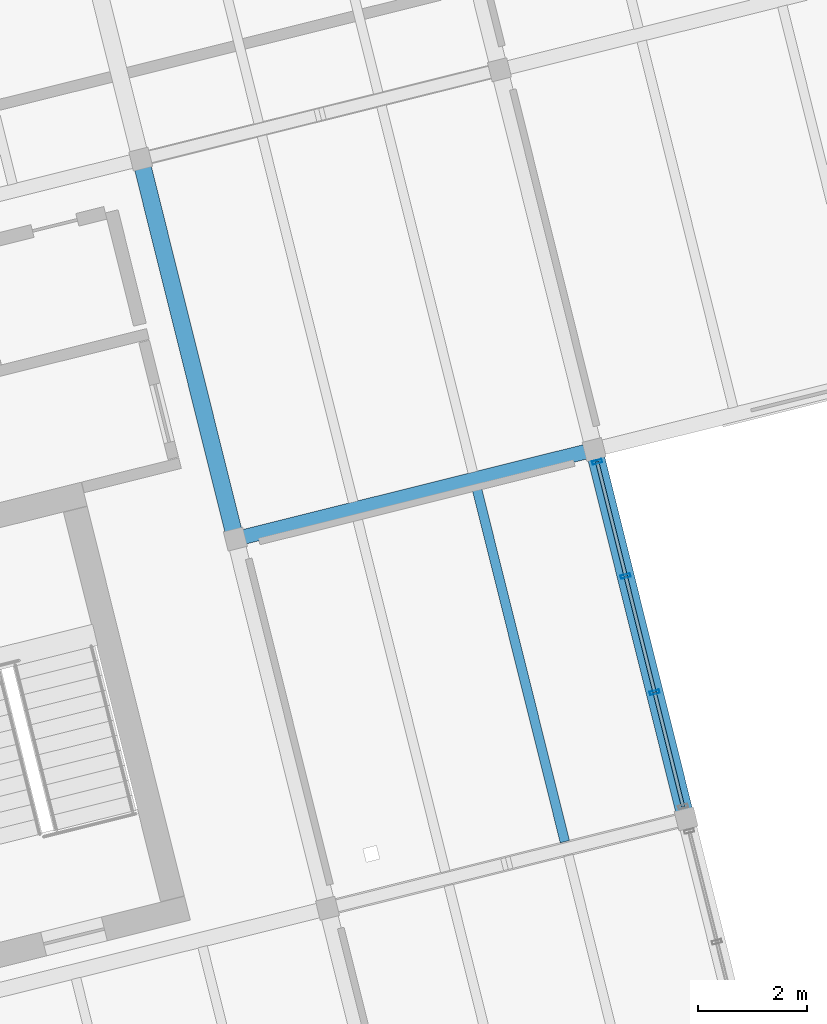
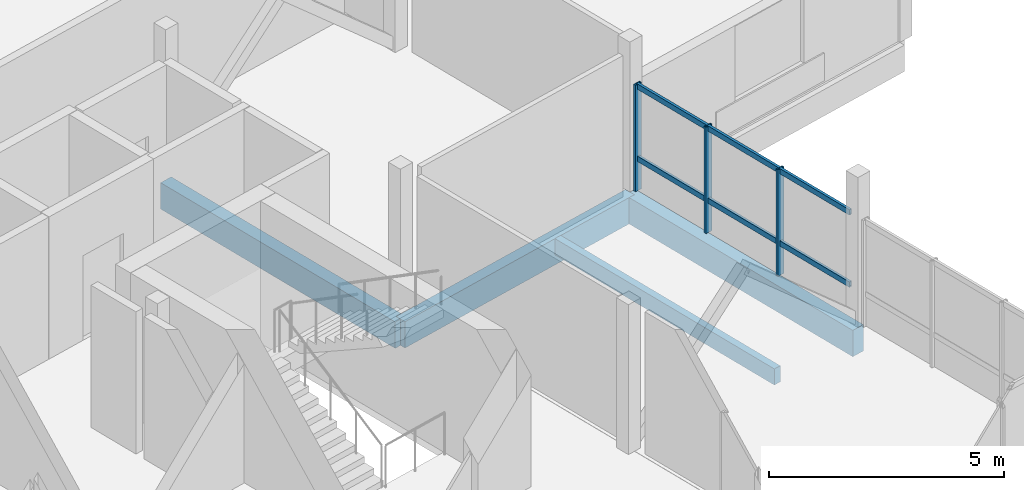
# One storey, part 12 of 26: 9 members, 4 beams, 1 element without a shape of its own.
"""IFC4 building model written with IfcOpenShell, lengths in metres."""

from ifc_helpers import new_model, si_unit, direction, frame, origin, origin_2d, place, context, subcontext, project, spatial, rectangle, hollow_rectangle, extrude, material, layer, layer_set, material_profile, profile_set, type_object, element, aggregate, save


model = new_model("IFC4")

# Units and contexts
model_context = context("Model", 3, precision=1e-05, world=origin(), true_north=direction((0.0, 1.0)))
body_context = subcontext(model_context, "Body", "Model", "MODEL_VIEW")
ifc_project = project(units=[si_unit("LENGTHUNIT", "METRE"), si_unit("AREAUNIT", "SQUARE_METRE"), si_unit("VOLUMEUNIT", "CUBIC_METRE"), si_unit("PLANEANGLEUNIT", "RADIAN"), si_unit("MASSUNIT", "GRAM", prefix="KILO")], contexts=[model_context])

# Site, building, storey
site_placement = place(None, origin())
site = spatial("IfcSite", under=ifc_project, at=site_placement, CompositionType="ELEMENT")
building_placement = place(site_placement, origin())
building = spatial("IfcBuilding", under=site, at=building_placement, Name="Meriwether Solvik Hall", CompositionType="ELEMENT")
storey_placement = place(building_placement, frame((0.0, 0.0, 41.699951171875)))
storey = spatial("IfcBuildingStorey", under=building, at=storey_placement, Name="L10", CompositionType="ELEMENT", Elevation=41.699951171875)

# Beams
ifc_material_1 = material(Name="Glulam Douglas-Fir 24F-V8 GL28h", Category="wood")
ifc_material_profile_1 = material_profile(ifc_material_1, rectangle(XDim=0.27294921875, YDim=0.68505859375, at=origin_2d()), Name="GLB-273X685")
ifc_profile_set_1 = profile_set([ifc_material_profile_1], Name="Glulam Douglas-Fir 24F-V8 GL28h")
beam_type_1 = type_object("IfcBeamType", Name="BM-GL-273X685", PredefinedType="BEAM", material=ifc_profile_set_1)
beam_1_placement = place(storey_placement, frame((93.593994140625, 61.654296875, -0.5224609375), z_axis=(0.970298579828, 0.24191045034, 0.0), x_axis=(-0.24191045034, 0.970298579828, 0.0)))
element("IfcBeam", 1, at=beam_1_placement, inside=storey, type_object=beam_type_1, Name="Tower Girder TC:T5-T6 (L10)", PredefinedType="BEAM", context=body_context, shape_type="SweptSolid", body=[
    extrude(rectangle(XDim=0.27294921875, YDim=0.68505859375, at=origin_2d()), origin(), (0.0, 0.0, 1.0), 6.800048828125),
])
ifc_material_2 = material(Name="Glulam Douglas-Fir 24F-V8 GL28h", Category="wood")
ifc_material_profile_2 = material_profile(ifc_material_2, rectangle(XDim=0.31494140625, YDim=0.68505859375, at=origin_2d()), Name="GLB-315X685")
ifc_profile_set_2 = profile_set([ifc_material_profile_2], Name="Glulam Douglas-Fir 24F-V8 GL28h")
beam_type_2 = type_object("IfcBeamType", Name="BM-GL-315X685", PredefinedType="BEAM", material=ifc_profile_set_2)
beam_2_placement = place(storey_placement, frame((93.593994140625, 61.654296875, -0.5224609375), z_axis=(-0.241905269381, 0.970299871507, 0.0), x_axis=(-0.970299871507, -0.241905269381, 0.0)))
element("IfcBeam", 2, at=beam_2_placement, inside=storey, type_object=beam_type_2, Name="Tower Girder T5:TC-TD (L10)", PredefinedType="BEAM", context=body_context, shape_type="SweptSolid", body=[
    extrude(rectangle(XDim=0.31494140625, YDim=0.68505859375, at=origin_2d()), origin(), (0.0, 0.0, 1.0), 7.199951171875),
])
beam_3_placement = place(storey_placement, frame((101.885498046875, 56.507080078125, -0.5224609375), z_axis=(-0.241903692719, 0.970300264582, 0.0), x_axis=(-0.970300264582, -0.241903692719, 0.0)))
element("IfcBeam", 3, at=beam_3_placement, inside=storey, type_object=beam_type_2, Name="Tower Girder T6:TB-TC (L10)", PredefinedType="BEAM", context=body_context, shape_type="SweptSolid", body=[
    extrude(rectangle(XDim=0.31494140625, YDim=0.68505859375, at=origin_2d()), origin(), (0.0, 0.0, 1.0), 7.000244140625),
])

# Curtain wall, members
ifc_material_3 = material(Name="Thermally Broken Anodised Aluminium 6063-T6 and Low-E Glass", Category="aluminium")
ifc_layer = layer(ifc_material_3, 0.179931640625)
ifc_layer_set = layer_set([ifc_layer], Name="Thermally Broken Anodised Aluminium 6063-T6 and Low-E Glass")
curtain_wall_type = type_object("IfcCurtainWallType", Name="CW-UNIT-C", PredefinedType="USERDEFINED", material=ifc_layer_set)
curtain_wall_placement = place(storey_placement, origin())
curtain_wall = element("IfcCurtainWall", 4, at=curtain_wall_placement, inside=storey, type_object=curtain_wall_type, Name="Curtain Wall E1_B1 (L10)", ObjectType="UNITISED CURTAIN WALL", PredefinedType="USERDEFINED")
ifc_material_4 = material(Name="Anodised Aluminium 6063-T6", Category="aluminium")
ifc_material_profile_3 = material_profile(ifc_material_4, hollow_rectangle(XDim=0.06494140625, YDim=0.179931640625, WallThickness=0.00439453125, at=origin_2d()), Name="CWM-65X180")
ifc_profile_set_3 = profile_set([ifc_material_profile_3], Name="Anodised Aluminium 6063-T6")
member_type_1 = type_object("IfcMemberType", Name="CW-MUL-65X180", PredefinedType="MULLION", material=ifc_profile_set_3)
member_1_placement = place(storey_placement, frame((100.248291015625, 63.07373046875, 0.0), z_axis=(0.0, 0.0, 1.0), x_axis=(0.241921804422, -0.970295749009, 0.0)))
member_1 = element("IfcMember", 5, at=member_1_placement, type_object=member_type_1, Name="Curtain Wall Mullion 1", PredefinedType="MULLION", context=body_context, shape_type="SweptSolid", body=[
    extrude(hollow_rectangle(XDim=0.06494140625, YDim=0.179931640625, WallThickness=0.00439453125, at=origin_2d()), origin(), (0.0, 0.0, 1.0), 2.77001953125),
])
member_2_placement = place(storey_placement, frame((100.772216796875, 60.972412109375, 0.0), z_axis=(0.0, 0.0, 1.0), x_axis=(0.241921804422, -0.970295749009, 0.0)))
member_2 = element("IfcMember", 6, at=member_2_placement, type_object=member_type_1, Name="Curtain Wall Mullion 2", PredefinedType="MULLION", context=body_context, shape_type="SweptSolid", body=[
    extrude(hollow_rectangle(XDim=0.06494140625, YDim=0.179931640625, WallThickness=0.00439453125, at=origin_2d()), origin(), (0.0, 0.0, 1.0), 2.77001953125),
])
member_3_placement = place(storey_placement, frame((101.305419921875, 58.834228515625, 0.0), z_axis=(0.0, 0.0, 1.0), x_axis=(0.241921804422, -0.970295749009, 0.0)))
member_3 = element("IfcMember", 7, at=member_3_placement, type_object=member_type_1, Name="Curtain Wall Mullion 3", PredefinedType="MULLION", context=body_context, shape_type="SweptSolid", body=[
    extrude(hollow_rectangle(XDim=0.06494140625, YDim=0.179931640625, WallThickness=0.00439453125, at=origin_2d()), origin(), (0.0, 0.0, 1.0), 2.77001953125),
])
ifc_material_5 = material(Name="Anodised Aluminium 6063-T6", Category="aluminium")
ifc_material_profile_4 = material_profile(ifc_material_5, hollow_rectangle(XDim=0.06494140625, YDim=0.139892578125, WallThickness=0.00439453125, at=origin_2d()), Name="CWT-65X140")
ifc_profile_set_4 = profile_set([ifc_material_profile_4], Name="Anodised Aluminium 6063-T6")
member_type_2 = type_object("IfcMemberType", Name="CW-TRN-65X140", PredefinedType="USERDEFINED", material=ifc_profile_set_4)
member_4_placement = place(storey_placement, frame((100.248291015625, 63.07373046875, 0.8310546875), z_axis=(0.241925491414, -0.970294829732, 0.0), x_axis=(0.970294829732, 0.241925491414, 0.0)))
member_4 = element("IfcMember", 8, at=member_4_placement, type_object=member_type_2, Name="Curtain Wall Transom 1-sill", ObjectType="TRANSOM", PredefinedType="USERDEFINED", context=body_context, shape_type="SweptSolid", body=[
    extrude(hollow_rectangle(XDim=0.06494140625, YDim=0.139892578125, WallThickness=0.00439453125, at=origin_2d()), origin(), (0.0, 0.0, 1.0), 2.16552734375),
])
member_5_placement = place(storey_placement, frame((100.248291015625, 63.07373046875, 2.7099609375), z_axis=(0.241925491414, -0.970294829732, 0.0), x_axis=(0.970294829732, 0.241925491414, 0.0)))
member_5 = element("IfcMember", 9, at=member_5_placement, type_object=member_type_2, Name="Curtain Wall Transom 1-head", ObjectType="TRANSOM", PredefinedType="USERDEFINED", context=body_context, shape_type="SweptSolid", body=[
    extrude(hollow_rectangle(XDim=0.06494140625, YDim=0.139892578125, WallThickness=0.00439453125, at=origin_2d()), origin(), (0.0, 0.0, 1.0), 2.16552734375),
])
member_6_placement = place(storey_placement, frame((100.772216796875, 60.972412109375, 0.8310546875), z_axis=(0.241962089235, -0.970285703993, 0.0), x_axis=(0.970285703993, 0.241962089235, 0.0)))
member_6 = element("IfcMember", 10, at=member_6_placement, type_object=member_type_2, Name="Curtain Wall Transom 2-sill", ObjectType="TRANSOM", PredefinedType="USERDEFINED", context=body_context, shape_type="SweptSolid", body=[
    extrude(hollow_rectangle(XDim=0.06494140625, YDim=0.139892578125, WallThickness=0.00439453125, at=origin_2d()), origin(), (0.0, 0.0, 1.0), 2.20361328125),
])
member_7_placement = place(storey_placement, frame((100.772216796875, 60.972412109375, 2.7099609375), z_axis=(0.241962089235, -0.970285703993, 0.0), x_axis=(0.970285703993, 0.241962089235, 0.0)))
member_7 = element("IfcMember", 11, at=member_7_placement, type_object=member_type_2, Name="Curtain Wall Transom 2-head", ObjectType="TRANSOM", PredefinedType="USERDEFINED", context=body_context, shape_type="SweptSolid", body=[
    extrude(hollow_rectangle(XDim=0.06494140625, YDim=0.139892578125, WallThickness=0.00439453125, at=origin_2d()), origin(), (0.0, 0.0, 1.0), 2.20361328125),
])
member_8_placement = place(storey_placement, frame((101.305419921875, 58.834228515625, 0.8310546875), z_axis=(0.241925491414, -0.970294829732, 0.0), x_axis=(0.970294829732, 0.241925491414, 0.0)))
member_8 = element("IfcMember", 12, at=member_8_placement, type_object=member_type_2, Name="Curtain Wall Transom 3-sill", ObjectType="TRANSOM", PredefinedType="USERDEFINED", context=body_context, shape_type="SweptSolid", body=[
    extrude(hollow_rectangle(XDim=0.06494140625, YDim=0.139892578125, WallThickness=0.00439453125, at=origin_2d()), origin(), (0.0, 0.0, 1.0), 2.16552734375),
])
member_9_placement = place(storey_placement, frame((101.305419921875, 58.834228515625, 2.7099609375), z_axis=(0.241925491414, -0.970294829732, 0.0), x_axis=(0.970294829732, 0.241925491414, 0.0)))
member_9 = element("IfcMember", 13, at=member_9_placement, type_object=member_type_2, Name="Curtain Wall Transom 3-head", ObjectType="TRANSOM", PredefinedType="USERDEFINED", context=body_context, shape_type="SweptSolid", body=[
    extrude(hollow_rectangle(XDim=0.06494140625, YDim=0.139892578125, WallThickness=0.00439453125, at=origin_2d()), origin(), (0.0, 0.0, 1.0), 2.16552734375),
])
aggregate(curtain_wall, [member_1, member_2, member_3, member_4, member_5, member_6, member_7, member_8, member_9])

# Beam
ifc_material_6 = material(Name="Glulam Douglas-Fir 24F-V8 GL28h", Category="wood")
ifc_material_profile_5 = material_profile(ifc_material_6, rectangle(XDim=0.175048828125, YDim=0.419921875, at=origin_2d()), Name="GLJ-175X420")
ifc_profile_set_5 = profile_set([ifc_material_profile_5], Name="Glulam Douglas-Fir 24F-V8 GL28h")
beam_type_3 = type_object("IfcBeamType", Name="JST-GL-175X420", PredefinedType="JOIST", material=ifc_profile_set_5)
beam_4_placement = place(storey_placement, frame((99.654296875, 56.08642578125, -0.389892578125), z_axis=(-0.241896058636, 0.970302167789, 0.0), x_axis=(-0.970302167789, -0.241896058636, 0.0)))
element("IfcBeam", 14, at=beam_4_placement, inside=storey, type_object=beam_type_3, Name="Glulam Floor Joist T5/TB-J2 (L10)", PredefinedType="JOIST", context=body_context, shape_type="SweptSolid", body=[
    extrude(rectangle(XDim=0.175048828125, YDim=0.419921875, at=origin_2d()), origin(), (0.0, 0.0, 1.0), 6.73681640625),
])

save(model, "model.ifc")
